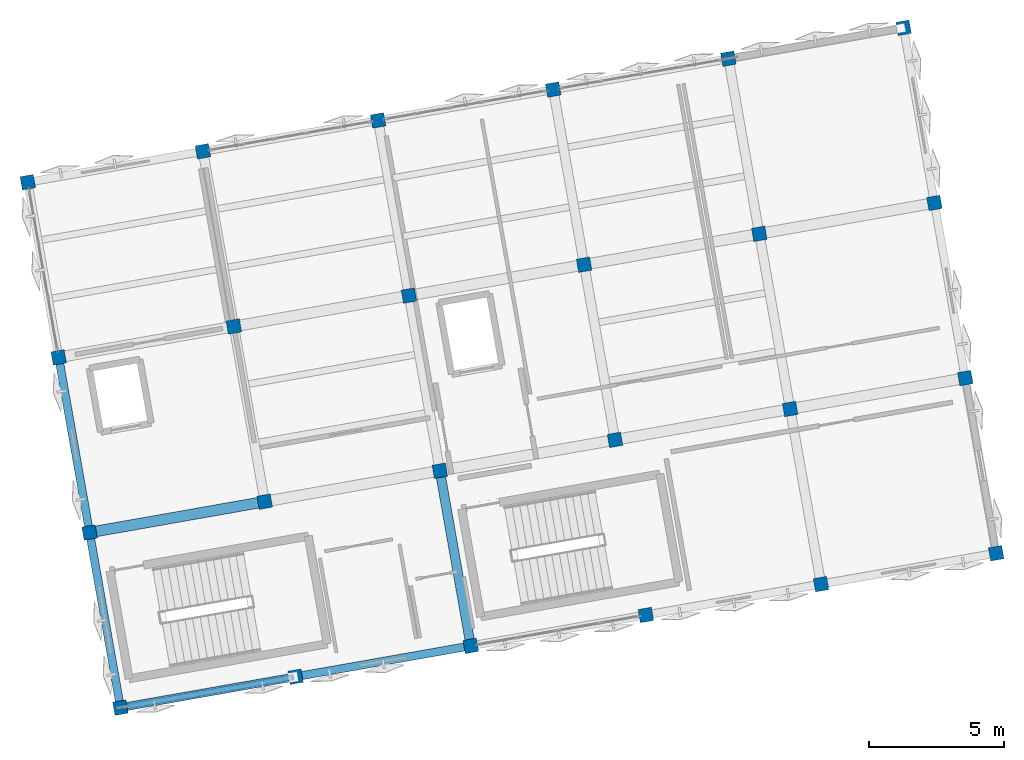
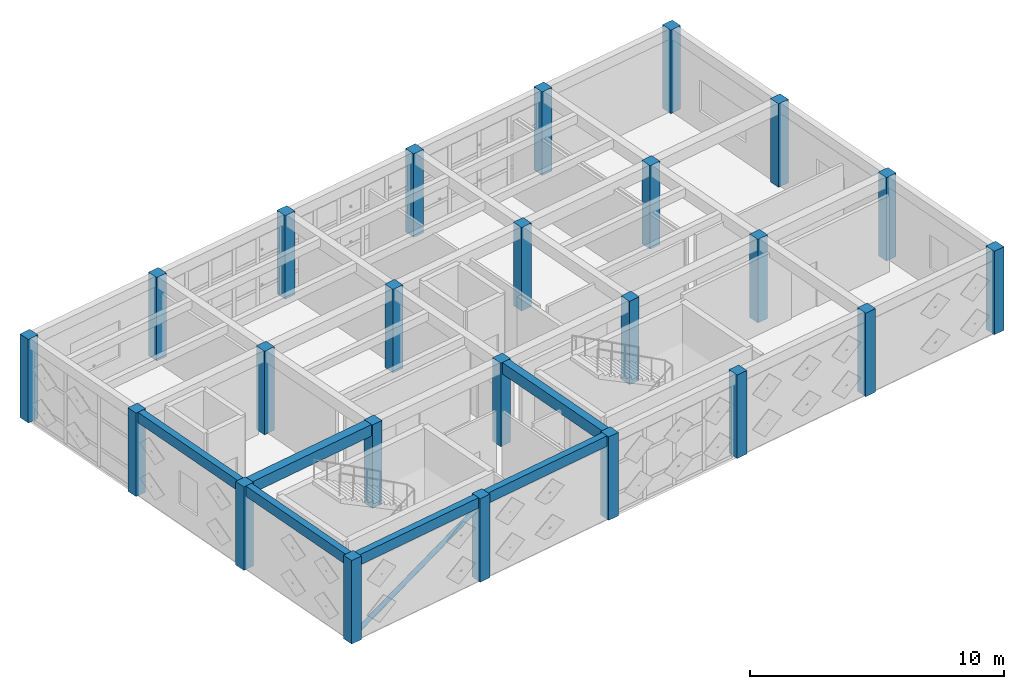
# One storey, part 1 of 15: 24 columns, 6 beams, 1 member.
"""IFC4 building model written with IfcOpenShell, lengths in metres."""

from ifc_helpers import new_model, si_unit, direction, frame, origin, origin_2d, place, context, subcontext, project, spatial, rectangle, hollow_circle, extrude, material, material_profile, profile_set, type_object, element, save


model = new_model("IFC4")

# Units and contexts
model_context = context("Model", 3, precision=1e-05, world=origin(), true_north=direction((0.0, 1.0)))
body_context = subcontext(model_context, "Body", "Model", "MODEL_VIEW")
ifc_project = project(units=[si_unit("LENGTHUNIT", "METRE"), si_unit("AREAUNIT", "SQUARE_METRE"), si_unit("VOLUMEUNIT", "CUBIC_METRE"), si_unit("PLANEANGLEUNIT", "RADIAN"), si_unit("MASSUNIT", "GRAM", prefix="KILO")], contexts=[model_context])

# Site, building, storey
site_placement = place(None, origin())
site = spatial("IfcSite", under=ifc_project, at=site_placement, CompositionType="ELEMENT")
building_placement = place(site_placement, origin())
building = spatial("IfcBuilding", under=site, at=building_placement, Name="Kharisveld Research Institute", CompositionType="ELEMENT")
storey_placement = place(building_placement, frame((0.0, 0.0, 40.800048828125)))
storey = spatial("IfcBuildingStorey", under=building, at=storey_placement, Name="L09", CompositionType="ELEMENT", Elevation=40.800048828125)

# Columns
ifc_material_1 = material(Name="Concrete C40/50", Category="concrete")
ifc_material_profile_1 = material_profile(ifc_material_1, rectangle(XDim=0.5, YDim=0.5, at=origin_2d()))
ifc_profile_set_1 = profile_set([ifc_material_profile_1], Name="Concrete C40/50")
column_type = type_object("IfcColumnType", Name="COL_RC_500", PredefinedType="COLUMN", material=ifc_profile_set_1)
for number, where, z_axis, x_axis, name in (
    (1, (5.199951171875, 35.010009765625, 0.0), (0.0, 0.0, 1.0), (0.984807753012, 0.173648177667, 0.0), "COL:V1:L09:U0V0"),
    (2, (4.053955078125, 41.509765625, 0.0), (0.0, 0.0, 1.0), (0.984807753012, 0.173648177667, 0.0), "COL:V1:L09:U0V1"),
    (3, (2.907958984375, 48.009521484375, 0.0), (0.0, 0.0, 1.0), (0.984807753012, 0.173648177667, 0.0), "COL:V1:L09:U0V2"),
    (4, (1.76171875, 54.50927734375, 0.0), (0.0, 0.0, 1.0), (0.984807753012, 0.173648177667, 0.0), "COL:V1:L09:U0V3"),
    (5, (11.69970703125, 36.156005859375, 0.0), (0.0, 0.0, 1.0), (0.984807753012, 0.173648177667, 0.0), "COL:V1:L09:U1V0"),
    (6, (10.5537109375, 42.65576171875, 0.0), (0.0, 0.0, 1.0), (0.984807753012, 0.173648177667, 0.0), "COL:V1:L09:U1V1"),
    (7, (9.407470703125, 49.155517578125, 0.0), (0.0, 0.0, 1.0), (0.984807753012, 0.173648177667, 0.0), "COL:V1:L09:U1V2"),
    (8, (8.261474609375, 55.6552734375, 0.0), (0.0, 0.0, 1.0), (0.984807753012, 0.173648177667, 0.0), "COL:V1:L09:U1V3"),
    (9, (18.199462890625, 37.30224609375, 0.0), (0.0, 0.0, 1.0), (0.984807753012, 0.173648177667, 0.0), "COL:V1:L09:U2V0"),
    (10, (17.053466796875, 43.802001953125, 0.0), (0.0, 0.0, 1.0), (0.984807753012, 0.173648177667, 0.0), "COL:V1:L09:U2V1"),
    (11, (15.9072265625, 50.301513671875, 0.0), (0.0, 0.0, 1.0), (0.984807753012, 0.173648177667, 0.0), "COL:V1:L09:U2V2"),
    (12, (14.76123046875, 56.80126953125, 0.0), (0.0, 0.0, 1.0), (0.984807753012, 0.173648177667, 0.0), "COL:V1:L09:U2V3"),
    (13, (24.69921875, 38.4482421875, 0.0), (0.0, 0.0, 1.0), (0.984807753012, 0.173648177667, 0.0), "COL:V1:L09:U3V0"),
    (14, (23.55322265625, 44.947998046875, 0.0), (0.0, 0.0, 1.0), (0.984807753012, 0.173648177667, 0.0), "COL:V1:L09:U3V1"),
    (15, (22.406982421875, 51.44775390625, 0.0), (0.0, 0.0, 1.0), (0.984807753012, 0.173648177667, 0.0), "COL:V1:L09:U3V2"),
    (16, (21.260986328125, 57.947509765625, 0.0), (0.0, 0.0, 1.0), (0.984807753012, 0.173648177667, 0.0), "COL:V1:L09:U3V3"),
    (17, (31.198974609375, 39.59423828125, 0.0), (0.0, 0.0, 1.0), (0.984807753012, 0.173648177667, 0.0), "COL:V1:L09:U4V0"),
    (18, (30.052734375, 46.093994140625, 0.0), (0.0, 0.0, 1.0), (0.984807753012, 0.173648177667, 0.0), "COL:V1:L09:U4V1"),
    (19, (28.90673828125, 52.59375, 0.0), (0.0, 0.0, 1.0), (0.984807753012, 0.173648177667, 0.0), "COL:V1:L09:U4V2"),
    (20, (27.7607421875, 59.093505859375, 0.0), (0.0, 0.0, 1.0), (0.984807753012, 0.173648177667, 0.0), "COL:V1:L09:U4V3"),
    (21, (37.69873046875, 40.740478515625, 0.0), (0.0, 0.0, 1.0), (0.984807753012, 0.173648177667, 0.0), "COL:V1:L09:U5V0"),
    (22, (36.552490234375, 47.240234375, 0.0), (0.0, 0.0, 1.0), (0.984807753012, 0.173648177667, 0.0), "COL:V1:L09:U5V1"),
    (23, (35.406494140625, 53.73974609375, 0.0), (0.0, 0.0, 1.0), (0.984807753012, 0.173648177667, 0.0), "COL:V1:L09:U5V2"),
    (24, (34.260498046875, 60.239501953125, 0.0), (0.0, 0.0, 1.0), (0.984807753012, 0.173648177667, 0.0), "COL:V1:L09:U5V3"),
):
    element("IfcColumn", number, at=place(storey_placement, frame(where, z_axis=z_axis, x_axis=x_axis)), inside=storey, type_object=column_type, Name=name, PredefinedType="COLUMN", context=body_context, shape_type="SweptSolid", body=[
        extrude(rectangle(XDim=0.5, YDim=0.5, at=origin_2d()), origin(), (0.0, 0.0, 1.0), 4.010009765625),
    ])

# Beams
ifc_material_2 = material(Name="Concrete C40/50", Category="concrete")
ifc_material_profile_2 = material_profile(ifc_material_2, rectangle(XDim=0.35009765625, YDim=0.550048828125, at=origin_2d()))
ifc_profile_set_2 = profile_set([ifc_material_profile_2], Name="Concrete C40/50")
beam_type_1 = type_object("IfcBeamType", Name="BM_RC_350x550", PredefinedType="BEAM", material=ifc_profile_set_2)
beam_1_placement = place(storey_placement, frame((18.156005859375, 37.54833984375, 3.73486328125), z_axis=(-0.173659757005, 0.984805711192, 0.0), x_axis=(-0.984805711192, -0.173659757005, 0.0)))
element("IfcBeam", 25, at=beam_1_placement, inside=storey, type_object=beam_type_1, Name="BM:V1:L09:V2_0", PredefinedType="BEAM", context=body_context, shape_type="SweptSolid", body=[
    extrude(rectangle(XDim=0.35009765625, YDim=0.550048828125, at=origin_2d()), origin(), (0.0, 0.0, 1.0), 6.10009765625),
])
ifc_material_3 = material(Name="Concrete C40/50", Category="concrete")
ifc_material_profile_3 = material_profile(ifc_material_3, rectangle(XDim=0.39990234375, YDim=0.550048828125, at=origin_2d()))
ifc_profile_set_3 = profile_set([ifc_material_profile_3], Name="Concrete C40/50")
beam_type_2 = type_object("IfcBeamType", Name="BM_RC_400x550", PredefinedType="BEAM", material=ifc_profile_set_3)
beam_2_placement = place(storey_placement, frame((4.300048828125, 41.55322265625, 3.73486328125), z_axis=(0.984812555252, 0.173620940611, 0.0), x_axis=(-0.173620940611, 0.984812555252, 0.0)))
element("IfcBeam", 26, at=beam_2_placement, inside=storey, type_object=beam_type_2, Name="BM:V1:L09:U0_1", PredefinedType="BEAM", context=body_context, shape_type="SweptSolid", body=[
    extrude(rectangle(XDim=0.39990234375, YDim=0.550048828125, at=origin_2d()), origin(), (0.0, 0.0, 1.0), 6.099853515625),
])

# Member
ifc_material_4 = material(Name="Steel S355J2H", Category="steel")
ifc_material_profile_4 = material_profile(ifc_material_4, hollow_circle(Radius=0.109619140625, WallThickness=0.010009765625, at=origin_2d()))
ifc_profile_set_4 = profile_set([ifc_material_profile_4], Name="Steel S355J2H")
member_type = type_object("IfcMemberType", Name="BR_CHS219", PredefinedType="BRACE", material=ifc_profile_set_4)
member_placement = place(storey_placement, frame((5.298583984375, 35.02734375, 0.199951171875), z_axis=(0.877522243327, 0.154728898808, 0.453887299161), x_axis=(-0.173646056486, 0.984808127031, 0.0)))
element("IfcMember", 27, at=member_placement, inside=storey, type_object=member_type, Name="MEM:V1:L09:BR_0_0", PredefinedType="BRACE", context=body_context, shape_type="SweptSolid", body=[
    extrude(hollow_circle(Radius=0.109619140625, WallThickness=0.010009765625, at=origin_2d()), origin(), (0.0, 0.0, 1.0), 7.182373046875),
])

# Beams
ifc_material_5 = material(Name="Concrete C40/50", Category="concrete")
ifc_material_profile_5 = material_profile(ifc_material_5, rectangle(XDim=0.300048828125, YDim=0.5, at=origin_2d()))
ifc_profile_set_5 = profile_set([ifc_material_profile_5], Name="Concrete C40/50")
beam_type_3 = type_object("IfcBeamType", Name="SP_RC_300x500", PredefinedType="SPANDREL", material=ifc_profile_set_5)
beam_3_placement = place(storey_placement, frame((5.4462890625, 35.053466796875, 3.760009765625), z_axis=(0.984812555252, 0.173620940611, 0.0), x_axis=(-0.173620940611, 0.984812555252, 0.0)))
element("IfcBeam", 28, at=beam_3_placement, inside=storey, type_object=beam_type_3, Name="BM:V1:L09:U0_0", PredefinedType="SPANDREL", context=body_context, shape_type="SweptSolid", body=[
    extrude(rectangle(XDim=0.300048828125, YDim=0.5, at=origin_2d()), origin(), (0.0, 0.0, 1.0), 6.099853515625),
])
beam_4_placement = place(storey_placement, frame((11.946044921875, 36.199462890625, 3.760009765625), z_axis=(0.984805711192, 0.173659757005, 0.0), x_axis=(-0.173659757005, 0.984805711192, 0.0)))
element("IfcBeam", 29, at=beam_4_placement, inside=storey, type_object=beam_type_3, Name="BM:V1:L09:U1_0", PredefinedType="SPANDREL", context=body_context, shape_type="SweptSolid", body=[
    extrude(rectangle(XDim=0.300048828125, YDim=0.5, at=origin_2d()), origin(), (0.0, 0.0, 1.0), 6.10009765625),
])
beam_5_placement = place(storey_placement, frame((5.156494140625, 35.256103515625, 3.760009765625), z_axis=(-0.173620940611, 0.984812555252, 0.0), x_axis=(-0.984812555252, -0.173620940611, 0.0)))
element("IfcBeam", 30, at=beam_5_placement, inside=storey, type_object=beam_type_3, Name="BM:V1:L09:V0_0", PredefinedType="SPANDREL", context=body_context, shape_type="SweptSolid", body=[
    extrude(rectangle(XDim=0.300048828125, YDim=0.5, at=origin_2d()), origin(), (0.0, 0.0, 1.0), 6.099853515625),
])
beam_6_placement = place(storey_placement, frame((4.010498046875, 41.755859375, 3.760009765625), z_axis=(-0.173659757005, 0.984805711192, 0.0), x_axis=(-0.984805711192, -0.173659757005, 0.0)))
element("IfcBeam", 31, at=beam_6_placement, inside=storey, type_object=beam_type_3, Name="BM:V1:L09:V0_1", PredefinedType="SPANDREL", context=body_context, shape_type="SweptSolid", body=[
    extrude(rectangle(XDim=0.300048828125, YDim=0.5, at=origin_2d()), origin(), (0.0, 0.0, 1.0), 6.10009765625),
])

save(model, "model.ifc")
